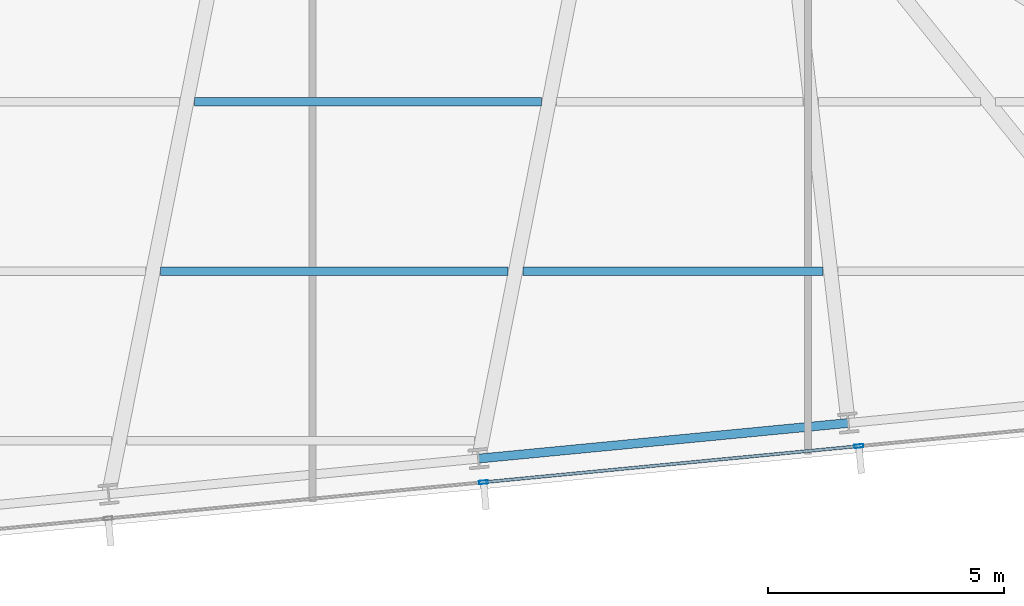
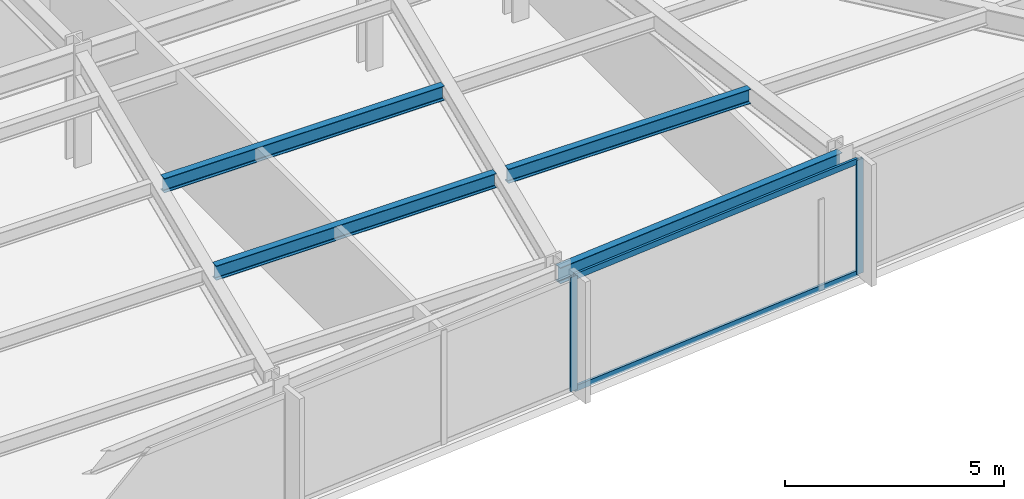
# One storey, part 10 of 32: 4 beams, 4 members, 1 element without a shape of its own.
"""IFC4 building model written with IfcOpenShell, lengths in metres."""

from ifc_helpers import new_model, si_unit, direction, frame, origin, origin_2d, place, context, subcontext, project, spatial, hollow_rectangle, i_section, extrude, material, material_profile, profile_set, type_object, element, aggregate, save


model = new_model("IFC4")

# Units and contexts
model_context = context("Model", 3, precision=1e-05, world=origin(), true_north=direction((0.0, 1.0)))
body_context = subcontext(model_context, "Body", "Model", "MODEL_VIEW")
ifc_project = project(units=[si_unit("LENGTHUNIT", "METRE"), si_unit("AREAUNIT", "SQUARE_METRE"), si_unit("VOLUMEUNIT", "CUBIC_METRE"), si_unit("PLANEANGLEUNIT", "RADIAN"), si_unit("MASSUNIT", "GRAM", prefix="KILO")], contexts=[model_context])

# Site, building, storey
site_placement = place(None, origin())
site = spatial("IfcSite", under=ifc_project, at=site_placement, CompositionType="ELEMENT")
building_placement = place(site_placement, origin())
building = spatial("IfcBuilding", under=site, at=building_placement, Name="Yelkora Congress Tower", CompositionType="ELEMENT")
storey_placement = place(building_placement, frame((0.0, 0.0, 113.5)))
storey = spatial("IfcBuildingStorey", under=building, at=storey_placement, Name="L30", CompositionType="ELEMENT", Elevation=113.5)

# Beams
ifc_material_1 = material(Name="Steel S355J2", Category="steel")
ifc_material_profile_1 = material_profile(ifc_material_1, i_section(OverallWidth=0.179931640625, OverallDepth=0.39990234375, WebThickness=0.008544921875, FlangeThickness=0.013427734375, FilletRadius=0.02099609375, at=origin_2d()), Name="IPE 400")
ifc_profile_set_1 = profile_set([ifc_material_profile_1], Name="Steel S355J2")
beam_type_1 = type_object("IfcBeamType", Name="BM-JOIST-IPE400", PredefinedType="JOIST", material=ifc_profile_set_1)
beam_1_placement = place(storey_placement, frame((44.436767578125, 16.144287109375, 2.97998046875), z_axis=(1.0, 0.0, 0.0), x_axis=(0.0, 1.0, 0.0)))
element("IfcBeam", 1, at=beam_1_placement, inside=storey, type_object=beam_type_1, Name="L30 Composite Floor Joist 7", PredefinedType="JOIST", context=body_context, shape_type="SweptSolid", body=[
    extrude(i_section(OverallWidth=0.179931640625, OverallDepth=0.39990234375, WebThickness=0.008544921875, FlangeThickness=0.013427734375, FilletRadius=0.02099609375, at=origin_2d()), origin(), (0.0, 0.0, 1.0), 7.373046875),
])
beam_2_placement = place(storey_placement, frame((52.1298828125, 16.144287109375, 2.97998046875), z_axis=(1.0, 0.0, 0.0), x_axis=(0.0, 1.0, 0.0)))
element("IfcBeam", 2, at=beam_2_placement, inside=storey, type_object=beam_type_1, Name="L30 Composite Floor Joist 8", PredefinedType="JOIST", context=body_context, shape_type="SweptSolid", body=[
    extrude(i_section(OverallWidth=0.179931640625, OverallDepth=0.39990234375, WebThickness=0.008544921875, FlangeThickness=0.013427734375, FilletRadius=0.02099609375, at=origin_2d()), origin(), (0.0, 0.0, 1.0), 6.3671875),
])
beam_3_placement = place(storey_placement, frame((45.153564453125, 19.744384765625, 2.97998046875), z_axis=(1.0, 0.0, 0.0), x_axis=(0.0, 1.0, 0.0)))
element("IfcBeam", 3, at=beam_3_placement, inside=storey, type_object=beam_type_1, Name="L30 Composite Floor Joist 14", PredefinedType="JOIST", context=body_context, shape_type="SweptSolid", body=[
    extrude(i_section(OverallWidth=0.179931640625, OverallDepth=0.39990234375, WebThickness=0.008544921875, FlangeThickness=0.013427734375, FilletRadius=0.02099609375, at=origin_2d()), origin(), (0.0, 0.0, 1.0), 7.367919921875),
])
ifc_material_profile_2 = material_profile(ifc_material_1, i_section(OverallWidth=0.18994140625, OverallDepth=0.449951171875, WebThickness=0.009521484375, FlangeThickness=0.0146484375, FilletRadius=0.02099609375, at=origin_2d()), Name="IPE 450")
ifc_profile_set_2 = profile_set([ifc_material_profile_2], Name="Steel S355J2")
beam_type_2 = type_object("IfcBeamType", Name="BM-SPAN-IPE450", PredefinedType="SPANDREL", material=ifc_profile_set_2)
beam_4_placement = place(storey_placement, frame((51.18359375, 12.16748046875, 2.955078125), z_axis=(0.995395860104, 0.095849265454, 0.0), x_axis=(-0.095849265454, 0.995395860104, 0.0)))
element("IfcBeam", 4, at=beam_4_placement, inside=storey, type_object=beam_type_2, Name="L30 Perimeter Beam 7", PredefinedType="SPANDREL", context=body_context, shape_type="SweptSolid", body=[
    extrude(i_section(OverallWidth=0.18994140625, OverallDepth=0.449951171875, WebThickness=0.009521484375, FlangeThickness=0.0146484375, FilletRadius=0.02099609375, at=origin_2d()), origin(), (0.0, 0.0, 1.0), 7.885986328125),
])

# Curtain wall, members
ifc_material_2 = material(Name="Anodised aluminium and insulated glass", Category="aluminium")
curtain_wall_type = type_object("IfcCurtainWallType", Name="CW-SYS-B2", PredefinedType="NOTDEFINED", material=ifc_material_2)
curtain_wall_placement = place(storey_placement, origin())
curtain_wall = element("IfcCurtainWall", 5, at=curtain_wall_placement, inside=storey, type_object=curtain_wall_type, Name="L30 Unitised Curtain Wall 20", PredefinedType="NOTDEFINED")
ifc_material_3 = material(Name="Anodised aluminium 6063-T6", Category="aluminium")
ifc_material_profile_3 = material_profile(ifc_material_3, hollow_rectangle(XDim=0.070068359375, YDim=0.18994140625, WallThickness=0.00390625, at=origin_2d()), Name="ALU 70x190x4")
ifc_profile_set_3 = profile_set([ifc_material_profile_3], Name="Anodised aluminium 6063-T6")
member_type_1 = type_object("IfcMemberType", Name="MEM-ML-B2", PredefinedType="MULLION", material=ifc_profile_set_3)
member_1_placement = place(storey_placement, frame((59.2568359375, 12.4326171875, 0.0), z_axis=(0.0, 0.0, 1.0), x_axis=(0.095844345816, -0.995396333816, 0.0)))
member_1 = element("IfcMember", 6, at=member_1_placement, type_object=member_type_1, Name="CW-B2 mullion 3", PredefinedType="MULLION", context=body_context, shape_type="SweptSolid", body=[
    extrude(hollow_rectangle(XDim=0.070068359375, YDim=0.18994140625, WallThickness=0.00390625, at=origin_2d()), origin(), (0.0, 0.0, 1.0), 3.179931640625),
])
member_2_placement = place(storey_placement, frame((51.290771484375, 11.66552734375, 0.0), z_axis=(0.0, 0.0, 1.0), x_axis=(0.095844345816, -0.995396333816, 0.0)))
member_2 = element("IfcMember", 7, at=member_2_placement, type_object=member_type_1, Name="CW-B2 mullion 4", PredefinedType="MULLION", context=body_context, shape_type="SweptSolid", body=[
    extrude(hollow_rectangle(XDim=0.070068359375, YDim=0.18994140625, WallThickness=0.00390625, at=origin_2d()), origin(), (0.0, 0.0, 1.0), 3.179931640625),
])
ifc_material_profile_4 = material_profile(ifc_material_3, hollow_rectangle(XDim=0.06494140625, YDim=0.159912109375, WallThickness=0.00390625, at=origin_2d()), Name="ALU 65x160x4")
ifc_profile_set_4 = profile_set([ifc_material_profile_4], Name="Anodised aluminium 6063-T6")
member_type_2 = type_object("IfcMemberType", Name="MEM-TR-B2", PredefinedType="USERDEFINED", material=ifc_profile_set_4)
member_3_placement = place(storey_placement, frame((59.221923828125, 12.42919921875, 0.032470703125), z_axis=(-0.995397010735, -0.095837315383, 0.0), x_axis=(0.095837315383, -0.995397010735, 0.0)))
member_3 = element("IfcMember", 8, at=member_3_placement, type_object=member_type_2, Name="CW-B2 transom 3.1", ObjectType="TRANSOM", PredefinedType="USERDEFINED", context=body_context, shape_type="SweptSolid", body=[
    extrude(hollow_rectangle(XDim=0.06494140625, YDim=0.159912109375, WallThickness=0.00390625, at=origin_2d()), origin(), (0.0, 0.0, 1.0), 7.932861328125),
])
member_4_placement = place(storey_placement, frame((59.221923828125, 12.42919921875, 3.1474609375), z_axis=(-0.995397010735, -0.095837315383, 0.0), x_axis=(0.095837315383, -0.995397010735, 0.0)))
member_4 = element("IfcMember", 9, at=member_4_placement, type_object=member_type_2, Name="CW-B2 transom 3.2", ObjectType="TRANSOM", PredefinedType="USERDEFINED", context=body_context, shape_type="SweptSolid", body=[
    extrude(hollow_rectangle(XDim=0.06494140625, YDim=0.159912109375, WallThickness=0.00390625, at=origin_2d()), origin(), (0.0, 0.0, 1.0), 7.932861328125),
])
aggregate(curtain_wall, [member_1, member_2, member_3, member_4])

save(model, "model.ifc")
